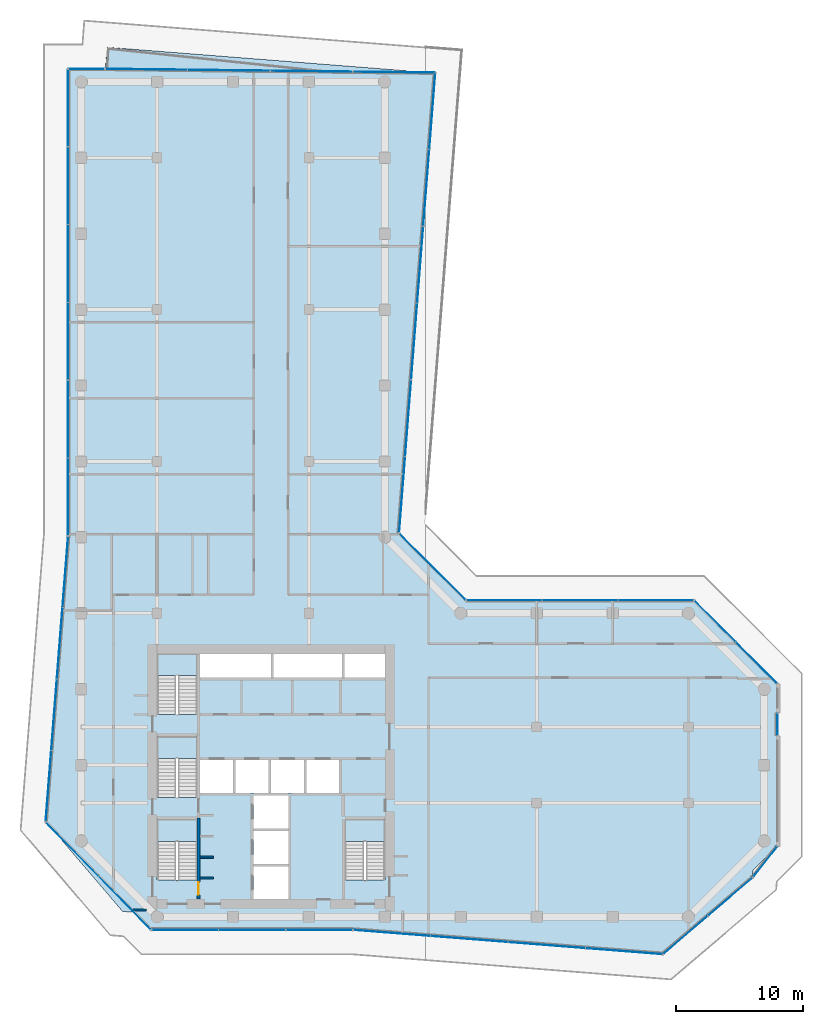
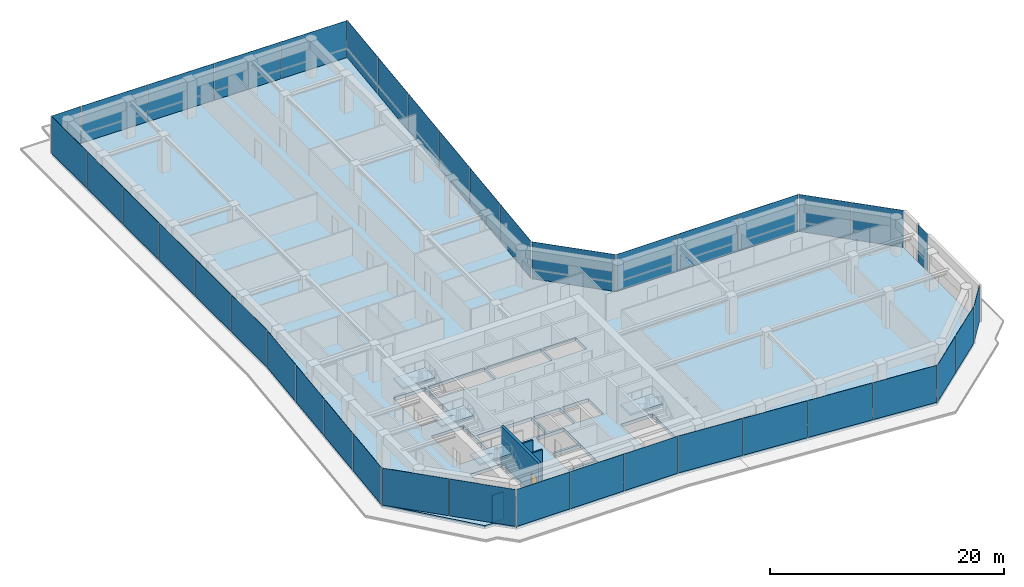
# One storey, part 19 of 24: 40 plates, 5 slabs, 4 walls, 1 door, 1 opening, 18 elements without a shape of their own.
"""IFC4 building model written with IfcOpenShell, lengths in metres."""

from ifc_helpers import new_model, si_unit, direction, frame, frame_2d, origin, origin_2d, place, context, subcontext, project, spatial, polyline, rectangle, outline, extrude, material, layer, layer_set, type_object, element, fill, aggregate, save


model = new_model("IFC4")

# Units and contexts
model_context = context("Model", 3, precision=1e-05, world=origin(), true_north=direction((0.0, 1.0)))
body_context = subcontext(model_context, "Body", "Model", "MODEL_VIEW")
ifc_project = project(units=[si_unit("LENGTHUNIT", "METRE"), si_unit("AREAUNIT", "SQUARE_METRE"), si_unit("VOLUMEUNIT", "CUBIC_METRE"), si_unit("PLANEANGLEUNIT", "RADIAN"), si_unit("MASSUNIT", "GRAM", prefix="KILO")], contexts=[model_context])

# Site, building, storey
site_placement = place(None, origin())
site = spatial("IfcSite", under=ifc_project, at=site_placement, CompositionType="ELEMENT")
building_placement = place(site_placement, origin())
building = spatial("IfcBuilding", under=site, at=building_placement, Name="Welwitschia Terrace Campus", CompositionType="ELEMENT")
storey_placement = place(building_placement, frame((0.0, 0.0, 129.800048828125)))
storey = spatial("IfcBuildingStorey", under=building, at=storey_placement, Name="L29", CompositionType="ELEMENT", Elevation=129.800048828125)

# Curtain wall, plates
ifc_material_1 = material(Name="Bronze anodised aluminium", Category="aluminium")
ifc_layer_1 = layer(ifc_material_1, 0.1201171875)
ifc_layer_set_1 = layer_set([ifc_layer_1], Name="Bronze anodised aluminium")
curtain_wall_type = type_object("IfcCurtainWallType", Name="Curtain wall CW2 tower 6000", PredefinedType="NOTDEFINED", material=ifc_layer_set_1)
curtain_wall_1_placement = place(storey_placement, origin())
curtain_wall_1 = element("IfcCurtainWall", 1, at=curtain_wall_1_placement, inside=storey, type_object=curtain_wall_type, Name="CW L29.0.0", PredefinedType="NOTDEFINED")
ifc_material_2 = material(Name="Tinted bronze-grey glass", Category="glass")
ifc_layer_2 = layer(ifc_material_2, 0.028076171875)
ifc_layer_set_2 = layer_set([ifc_layer_2], Name="Tinted bronze-grey glass")
plate_type = type_object("IfcPlateType", Name="Glass panel 28 tinted", PredefinedType="CURTAIN_PANEL", material=ifc_layer_set_2)
plate_1_placement = place(storey_placement, frame((-1.253662109375, 31.27099609375, 0.0), z_axis=(0.0, 0.0, 1.0), x_axis=(-0.078459095728, -0.996917333733, 0.0)))
plate_1 = element("IfcPlate", 2, at=plate_1_placement, type_object=plate_type, Name="Panel L29.0.0.0", PredefinedType="CURTAIN_PANEL", context=body_context, shape_type="SweptSolid", body=[
    extrude(rectangle(XDim=5.578857421875, YDim=0.028076171875, at=origin_2d()), origin(), (0.0, 0.0, 1.0), 3.85009765625),
])
plate_2_placement = place(storey_placement, frame((-1.697265625, 25.634765625, 0.0), z_axis=(0.0, 0.0, 1.0), x_axis=(-0.078459095728, -0.996917333733, 0.0)))
plate_2 = element("IfcPlate", 3, at=plate_2_placement, type_object=plate_type, Name="Panel L29.0.0.1", PredefinedType="CURTAIN_PANEL", context=body_context, shape_type="SweptSolid", body=[
    extrude(rectangle(XDim=5.60888671875, YDim=0.028076171875, at=origin_2d()), origin(), (0.0, 0.0, 1.0), 3.85009765625),
])
plate_3_placement = place(storey_placement, frame((-2.141845703125, 19.9833984375, 0.0), z_axis=(0.0, 0.0, 1.0), x_axis=(-0.078459095728, -0.996917333733, 0.0)))
plate_3 = element("IfcPlate", 4, at=plate_3_placement, type_object=plate_type, Name="Panel L29.0.0.2", PredefinedType="CURTAIN_PANEL", context=body_context, shape_type="SweptSolid", body=[
    extrude(rectangle(XDim=5.60888671875, YDim=0.028076171875, at=origin_2d()), origin(), (0.0, 0.0, 1.0), 3.85009765625),
])
plate_4_placement = place(storey_placement, frame((-2.58544921875, 14.346923828125, 0.0), z_axis=(0.0, 0.0, 1.0), x_axis=(-0.078459095728, -0.996917333733, 0.0)))
plate_4 = element("IfcPlate", 5, at=plate_4_placement, type_object=plate_type, Name="Panel L29.0.0.3", PredefinedType="CURTAIN_PANEL", context=body_context, shape_type="SweptSolid", body=[
    extrude(rectangle(XDim=5.578857421875, YDim=0.028076171875, at=origin_2d()), origin(), (0.0, 0.0, 1.0), 3.85009765625),
])
aggregate(curtain_wall_1, [plate_1, plate_2, plate_3, plate_4])

curtain_wall_2_placement = place(storey_placement, origin())
curtain_wall_2 = element("IfcCurtainWall", 6, at=curtain_wall_2_placement, inside=storey, type_object=curtain_wall_type, Name="CW L29.1.0", PredefinedType="NOTDEFINED")
plate_5_placement = place(storey_placement, frame((-0.710205078125, 9.361572265625, 0.0), z_axis=(0.0, 0.0, 1.0), x_axis=(0.699403259403, -0.714727277174, 0.0)))
plate_5 = element("IfcPlate", 7, at=plate_5_placement, type_object=plate_type, Name="Panel L29.1.0.0", PredefinedType="CURTAIN_PANEL", context=body_context, shape_type="SweptSolid", body=[
    extrude(rectangle(XDim=5.8818359375, YDim=0.028076171875, at=origin_2d()), origin(), (0.0, 0.0, 1.0), 3.85009765625),
])
plate_6_placement = place(storey_placement, frame((3.4453125, 5.11474609375, 0.0), z_axis=(0.0, 0.0, 1.0), x_axis=(0.699403259403, -0.714727277174, 0.0)))
plate_6 = element("IfcPlate", 8, at=plate_6_placement, type_object=plate_type, Name="Panel L29.1.0.1", PredefinedType="CURTAIN_PANEL", context=body_context, shape_type="SweptSolid", body=[
    extrude(rectangle(XDim=5.8818359375, YDim=0.028076171875, at=origin_2d()), origin(), (0.0, 0.0, 1.0), 3.85009765625),
])
aggregate(curtain_wall_2, [plate_5, plate_6])

curtain_wall_3_placement = place(storey_placement, origin())
curtain_wall_3 = element("IfcCurtainWall", 9, at=curtain_wall_3_placement, inside=storey, type_object=curtain_wall_type, Name="CW L29.2.0", PredefinedType="NOTDEFINED")
plate_7_placement = place(storey_placement, frame((8.217041015625, 2.969970703125, 0.0), z_axis=(0.0, 0.0, 1.0), x_axis=(1.0, 0.0, 0.0)))
plate_7 = element("IfcPlate", 10, at=plate_7_placement, type_object=plate_type, Name="Panel L29.2.0.0", PredefinedType="CURTAIN_PANEL", context=body_context, shape_type="SweptSolid", body=[
    extrude(rectangle(XDim=5.225830078125, YDim=0.028076171875, at=origin_2d()), origin(), (0.0, 0.0, 1.0), 3.85009765625),
])
plate_8_placement = place(storey_placement, frame((13.51806640625, 2.969970703125, 0.0), z_axis=(0.0, 0.0, 1.0), x_axis=(1.0, 0.0, 0.0)))
plate_8 = element("IfcPlate", 11, at=plate_8_placement, type_object=plate_type, Name="Panel L29.2.0.1", PredefinedType="CURTAIN_PANEL", context=body_context, shape_type="SweptSolid", body=[
    extrude(rectangle(XDim=5.255859375, YDim=0.028076171875, at=origin_2d()), origin(), (0.0, 0.0, 1.0), 3.85009765625),
])
plate_9_placement = place(storey_placement, frame((18.819091796875, 2.969970703125, 0.0), z_axis=(0.0, 0.0, 1.0), x_axis=(1.0, 0.0, 0.0)))
plate_9 = element("IfcPlate", 12, at=plate_9_placement, type_object=plate_type, Name="Panel L29.2.0.2", PredefinedType="CURTAIN_PANEL", context=body_context, shape_type="SweptSolid", body=[
    extrude(rectangle(XDim=5.225830078125, YDim=0.028076171875, at=origin_2d()), origin(), (0.0, 0.0, 1.0), 3.85009765625),
])
aggregate(curtain_wall_3, [plate_7, plate_8, plate_9])

curtain_wall_4_placement = place(storey_placement, origin())
curtain_wall_4 = element("IfcCurtainWall", 13, at=curtain_wall_4_placement, inside=storey, type_object=curtain_wall_type, Name="CW L29.3.0", PredefinedType="NOTDEFINED")
plate_10_placement = place(storey_placement, frame((24.567626953125, 2.72802734375, 0.0), z_axis=(0.0, 0.0, 1.0), x_axis=(0.996917333733, -0.078459095728, 0.0)))
plate_10 = element("IfcPlate", 14, at=plate_10_placement, type_object=plate_type, Name="Panel L29.3.0.0", PredefinedType="CURTAIN_PANEL", context=body_context, shape_type="SweptSolid", body=[
    extrude(rectangle(XDim=6.05029296875, YDim=0.028076171875, at=origin_2d()), origin(), (0.0, 0.0, 1.0), 3.85009765625),
])
plate_11_placement = place(storey_placement, frame((30.673828125, 2.247314453125, 0.0), z_axis=(0.0, 0.0, 1.0), x_axis=(0.996917333733, -0.078459095728, 0.0)))
plate_11 = element("IfcPlate", 15, at=plate_11_placement, type_object=plate_type, Name="Panel L29.3.0.1", PredefinedType="CURTAIN_PANEL", context=body_context, shape_type="SweptSolid", body=[
    extrude(rectangle(XDim=6.080078125, YDim=0.028076171875, at=origin_2d()), origin(), (0.0, 0.0, 1.0), 3.85009765625),
])
plate_12_placement = place(storey_placement, frame((36.795166015625, 1.765625, 0.0), z_axis=(0.0, 0.0, 1.0), x_axis=(0.996917333733, -0.078459095728, 0.0)))
plate_12 = element("IfcPlate", 16, at=plate_12_placement, type_object=plate_type, Name="Panel L29.3.0.2", PredefinedType="CURTAIN_PANEL", context=body_context, shape_type="SweptSolid", body=[
    extrude(rectangle(XDim=6.080078125, YDim=0.028076171875, at=origin_2d()), origin(), (0.0, 0.0, 1.0), 3.85009765625),
])
plate_13_placement = place(storey_placement, frame((42.9013671875, 1.28515625, 0.0), z_axis=(0.0, 0.0, 1.0), x_axis=(0.996917333733, -0.078459095728, 0.0)))
plate_13 = element("IfcPlate", 17, at=plate_13_placement, type_object=plate_type, Name="Panel L29.3.0.3", PredefinedType="CURTAIN_PANEL", context=body_context, shape_type="SweptSolid", body=[
    extrude(rectangle(XDim=6.05029296875, YDim=0.028076171875, at=origin_2d()), origin(), (0.0, 0.0, 1.0), 3.85009765625),
])
aggregate(curtain_wall_4, [plate_10, plate_11, plate_12, plate_13])

curtain_wall_5_placement = place(storey_placement, origin())
curtain_wall_5 = element("IfcCurtainWall", 18, at=curtain_wall_5_placement, inside=storey, type_object=curtain_wall_type, Name="CW L29.4.0", PredefinedType="NOTDEFINED")
plate_14_placement = place(storey_placement, frame((47.763671875, 2.56884765625, 0.0), z_axis=(0.0, 0.0, 1.0), x_axis=(0.7604059656, 0.64944804833, 0.0)))
plate_14 = element("IfcPlate", 19, at=plate_14_placement, type_object=plate_type, Name="Panel L29.4.0.0", PredefinedType="CURTAIN_PANEL", context=body_context, shape_type="SweptSolid", body=[
    extrude(rectangle(XDim=4.579345703125, YDim=0.028076171875, at=origin_2d()), origin(), (0.0, 0.0, 1.0), 3.85009765625),
])
plate_15_placement = place(storey_placement, frame((51.29150390625, 5.58203125, 0.0), z_axis=(0.0, 0.0, 1.0), x_axis=(0.7604059656, 0.64944804833, 0.0)))
plate_15 = element("IfcPlate", 20, at=plate_15_placement, type_object=plate_type, Name="Panel L29.4.0.1", PredefinedType="CURTAIN_PANEL", context=body_context, shape_type="SweptSolid", body=[
    extrude(rectangle(XDim=4.579345703125, YDim=0.028076171875, at=origin_2d()), origin(), (0.0, 0.0, 1.0), 3.85009765625),
])
aggregate(curtain_wall_5, [plate_14, plate_15])

# Curtain wall, plate
curtain_wall_6_placement = place(storey_placement, origin())
curtain_wall_6 = element("IfcCurtainWall", 21, at=curtain_wall_6_placement, inside=storey, type_object=curtain_wall_type, Name="CW L29.5.0", PredefinedType="NOTDEFINED")
plate_16_placement = place(storey_placement, frame((54.053955078125, 8.340576171875, 0.0), z_axis=(0.0, 0.0, 1.0), x_axis=(0.620716956418, 0.784034731383, 0.0)))
plate_16 = element("IfcPlate", 22, at=plate_16_placement, type_object=plate_type, Name="Panel L29.5.0.0", PredefinedType="CURTAIN_PANEL", context=body_context, shape_type="SweptSolid", body=[
    extrude(rectangle(XDim=3.024658203125, YDim=0.028076171875, at=origin_2d()), origin(), (0.0, 0.0, 1.0), 3.85009765625),
])
aggregate(curtain_wall_6, [plate_16])

curtain_wall_7_placement = place(storey_placement, origin())
curtain_wall_7 = element("IfcCurtainWall", 23, at=curtain_wall_7_placement, inside=storey, type_object=curtain_wall_type, Name="CW L29.6.S0", PredefinedType="NOTDEFINED")
plate_17_placement = place(storey_placement, frame((55.030029296875, 19.21337890625, 0.0), z_axis=(0.0, 0.0, 1.0), x_axis=(0.0, 1.0, 0.0)))
plate_17 = element("IfcPlate", 24, at=plate_17_placement, type_object=plate_type, Name="Panel L29.6.S0.0", PredefinedType="CURTAIN_PANEL", context=body_context, shape_type="SweptSolid", body=[
    extrude(rectangle(XDim=1.679931640625, YDim=0.028076171875, at=origin_2d()), origin(), (0.0, 0.0, 1.0), 3.85009765625),
])
aggregate(curtain_wall_7, [plate_17])

# Curtain wall, plates
curtain_wall_8_placement = place(storey_placement, origin())
curtain_wall_8 = element("IfcCurtainWall", 25, at=curtain_wall_8_placement, inside=storey, type_object=curtain_wall_type, Name="CW L29.7.0", PredefinedType="NOTDEFINED")
plate_18_placement = place(storey_placement, frame((53.36865234375, 24.088134765625, 0.0), z_axis=(0.0, 0.0, 1.0), x_axis=(-0.707106781187, 0.707106781187, 0.0)))
plate_18 = element("IfcPlate", 26, at=plate_18_placement, type_object=plate_type, Name="Panel L29.7.0.0", PredefinedType="CURTAIN_PANEL", context=body_context, shape_type="SweptSolid", body=[
    extrude(rectangle(XDim=4.579345703125, YDim=0.028076171875, at=origin_2d()), origin(), (0.0, 0.0, 1.0), 3.85009765625),
])
plate_19_placement = place(storey_placement, frame((50.088134765625, 27.36865234375, 0.0), z_axis=(0.0, 0.0, 1.0), x_axis=(-0.707106781187, 0.707106781187, 0.0)))
plate_19 = element("IfcPlate", 27, at=plate_19_placement, type_object=plate_type, Name="Panel L29.7.0.1", PredefinedType="CURTAIN_PANEL", context=body_context, shape_type="SweptSolid", body=[
    extrude(rectangle(XDim=4.579345703125, YDim=0.028076171875, at=origin_2d()), origin(), (0.0, 0.0, 1.0), 3.85009765625),
])
aggregate(curtain_wall_8, [plate_18, plate_19])

curtain_wall_9_placement = place(storey_placement, origin())
curtain_wall_9 = element("IfcCurtainWall", 28, at=curtain_wall_9_placement, inside=storey, type_object=curtain_wall_type, Name="CW L29.8.0", PredefinedType="NOTDEFINED")
plate_20_placement = place(storey_placement, frame((45.41162109375, 29.030029296875, 0.0), z_axis=(0.0, 0.0, 1.0), x_axis=(-1.0, 0.0, 0.0)))
plate_20 = element("IfcPlate", 29, at=plate_20_placement, type_object=plate_type, Name="Panel L29.8.0.0", PredefinedType="CURTAIN_PANEL", context=body_context, shape_type="SweptSolid", body=[
    extrude(rectangle(XDim=5.909912109375, YDim=0.028076171875, at=origin_2d()), origin(), (0.0, 0.0, 1.0), 3.85009765625),
])
plate_21_placement = place(storey_placement, frame((39.4267578125, 29.030029296875, 0.0), z_axis=(0.0, 0.0, 1.0), x_axis=(-1.0, 0.0, 0.0)))
plate_21 = element("IfcPlate", 30, at=plate_21_placement, type_object=plate_type, Name="Panel L29.8.0.1", PredefinedType="CURTAIN_PANEL", context=body_context, shape_type="SweptSolid", body=[
    extrude(rectangle(XDim=5.93994140625, YDim=0.028076171875, at=origin_2d()), origin(), (0.0, 0.0, 1.0), 3.85009765625),
])
plate_22_placement = place(storey_placement, frame((33.441650390625, 29.030029296875, 0.0), z_axis=(0.0, 0.0, 1.0), x_axis=(-1.0, 0.0, 0.0)))
plate_22 = element("IfcPlate", 31, at=plate_22_placement, type_object=plate_type, Name="Panel L29.8.0.2", PredefinedType="CURTAIN_PANEL", context=body_context, shape_type="SweptSolid", body=[
    extrude(rectangle(XDim=5.909912109375, YDim=0.028076171875, at=origin_2d()), origin(), (0.0, 0.0, 1.0), 3.85009765625),
])
aggregate(curtain_wall_9, [plate_20, plate_21, plate_22])

# Curtain wall, plate
curtain_wall_10_placement = place(storey_placement, origin())
curtain_wall_10 = element("IfcCurtainWall", 32, at=curtain_wall_10_placement, inside=storey, type_object=curtain_wall_type, Name="CW L29.9.0", PredefinedType="NOTDEFINED")
plate_23_placement = place(storey_placement, frame((27.777099609375, 31.679443359375, 0.0), z_axis=(0.0, 0.0, 1.0), x_axis=(-0.707106781187, 0.707106781187, 0.0)))
plate_23 = element("IfcPlate", 33, at=plate_23_placement, type_object=plate_type, Name="Panel L29.9.0.0", PredefinedType="CURTAIN_PANEL", context=body_context, shape_type="SweptSolid", body=[
    extrude(rectangle(XDim=7.373779296875, YDim=0.028076171875, at=origin_2d()), origin(), (0.0, 0.0, 1.0), 3.85009765625),
])
aggregate(curtain_wall_10, [plate_23])

# Curtain wall, plates
curtain_wall_11_placement = place(storey_placement, origin())
curtain_wall_11 = element("IfcCurtainWall", 34, at=curtain_wall_11_placement, inside=storey, type_object=curtain_wall_type, Name="CW L29.10.0", PredefinedType="NOTDEFINED")
plate_24_placement = place(storey_placement, frame((25.36767578125, 37.377197265625, 0.0), z_axis=(0.0, 0.0, 1.0), x_axis=(0.078459095728, 0.996917333733, 0.0)))
plate_24 = element("IfcPlate", 35, at=plate_24_placement, type_object=plate_type, Name="Panel L29.10.0.0", PredefinedType="CURTAIN_PANEL", context=body_context, shape_type="SweptSolid", body=[
    extrude(rectangle(XDim=5.995361328125, YDim=0.028076171875, at=origin_2d()), origin(), (0.0, 0.0, 1.0), 3.85009765625),
])
plate_25_placement = place(storey_placement, frame((25.84375, 43.428955078125, 0.0), z_axis=(0.0, 0.0, 1.0), x_axis=(0.078459095728, 0.996917333733, 0.0)))
plate_25 = element("IfcPlate", 36, at=plate_25_placement, type_object=plate_type, Name="Panel L29.10.0.1", PredefinedType="CURTAIN_PANEL", context=body_context, shape_type="SweptSolid", body=[
    extrude(rectangle(XDim=6.025390625, YDim=0.028076171875, at=origin_2d()), origin(), (0.0, 0.0, 1.0), 3.85009765625),
])
plate_26_placement = place(storey_placement, frame((26.3212890625, 49.49560546875, 0.0), z_axis=(0.0, 0.0, 1.0), x_axis=(0.078459095728, 0.996917333733, 0.0)))
plate_26 = element("IfcPlate", 37, at=plate_26_placement, type_object=plate_type, Name="Panel L29.10.0.2", PredefinedType="CURTAIN_PANEL", context=body_context, shape_type="SweptSolid", body=[
    extrude(rectangle(XDim=6.025390625, YDim=0.028076171875, at=origin_2d()), origin(), (0.0, 0.0, 1.0), 3.85009765625),
])
plate_27_placement = place(storey_placement, frame((26.798828125, 55.562255859375, 0.0), z_axis=(0.0, 0.0, 1.0), x_axis=(0.078459095728, 0.996917333733, 0.0)))
plate_27 = element("IfcPlate", 38, at=plate_27_placement, type_object=plate_type, Name="Panel L29.10.0.3", PredefinedType="CURTAIN_PANEL", context=body_context, shape_type="SweptSolid", body=[
    extrude(rectangle(XDim=6.025390625, YDim=0.028076171875, at=origin_2d()), origin(), (0.0, 0.0, 1.0), 3.85009765625),
])
plate_28_placement = place(storey_placement, frame((27.276123046875, 61.62890625, 0.0), z_axis=(0.0, 0.0, 1.0), x_axis=(0.078459095728, 0.996917333733, 0.0)))
plate_28 = element("IfcPlate", 39, at=plate_28_placement, type_object=plate_type, Name="Panel L29.10.0.4", PredefinedType="CURTAIN_PANEL", context=body_context, shape_type="SweptSolid", body=[
    extrude(rectangle(XDim=6.025390625, YDim=0.028076171875, at=origin_2d()), origin(), (0.0, 0.0, 1.0), 3.85009765625),
])
plate_29_placement = place(storey_placement, frame((27.75244140625, 67.6806640625, 0.0), z_axis=(0.0, 0.0, 1.0), x_axis=(0.078459095728, 0.996917333733, 0.0)))
plate_29 = element("IfcPlate", 40, at=plate_29_placement, type_object=plate_type, Name="Panel L29.10.0.5", PredefinedType="CURTAIN_PANEL", context=body_context, shape_type="SweptSolid", body=[
    extrude(rectangle(XDim=5.995361328125, YDim=0.028076171875, at=origin_2d()), origin(), (0.0, 0.0, 1.0), 3.85009765625),
])
aggregate(curtain_wall_11, [plate_24, plate_25, plate_26, plate_27, plate_28, plate_29])

curtain_wall_12_placement = place(storey_placement, origin())
curtain_wall_12 = element("IfcCurtainWall", 41, at=curtain_wall_12_placement, inside=storey, type_object=curtain_wall_type, Name="CW L29.11.0", PredefinedType="NOTDEFINED")
plate_30_placement = place(storey_placement, frame((24.712890625, 70.7666015625, 0.0), z_axis=(0.0, 0.0, 1.0), x_axis=(-0.999933529189, 0.011529839669, 0.0)))
plate_30 = element("IfcPlate", 42, at=plate_30_placement, type_object=plate_type, Name="Panel L29.11.0.0", PredefinedType="CURTAIN_PANEL", context=body_context, shape_type="SweptSolid", body=[
    extrude(rectangle(XDim=6.439697265625, YDim=0.028076171875, at=origin_2d()), origin(), (0.0, 0.0, 1.0), 3.85009765625),
])
plate_31_placement = place(storey_placement, frame((18.198486328125, 70.841796875, 0.0), z_axis=(0.0, 0.0, 1.0), x_axis=(-0.999933529189, 0.011529839669, 0.0)))
plate_31 = element("IfcPlate", 43, at=plate_31_placement, type_object=plate_type, Name="Panel L29.11.0.1", PredefinedType="CURTAIN_PANEL", context=body_context, shape_type="SweptSolid", body=[
    extrude(rectangle(XDim=6.4697265625, YDim=0.028076171875, at=origin_2d()), origin(), (0.0, 0.0, 1.0), 3.85009765625),
])
plate_32_placement = place(storey_placement, frame((11.66943359375, 70.9169921875, 0.0), z_axis=(0.0, 0.0, 1.0), x_axis=(-0.999933529189, 0.011529839669, 0.0)))
plate_32 = element("IfcPlate", 44, at=plate_32_placement, type_object=plate_type, Name="Panel L29.11.0.2", PredefinedType="CURTAIN_PANEL", context=body_context, shape_type="SweptSolid", body=[
    extrude(rectangle(XDim=6.4697265625, YDim=0.028076171875, at=origin_2d()), origin(), (0.0, 0.0, 1.0), 3.85009765625),
])
plate_33_placement = place(storey_placement, frame((5.155029296875, 70.9921875, 0.0), z_axis=(0.0, 0.0, 1.0), x_axis=(-0.999933529189, 0.011529839669, 0.0)))
plate_33 = element("IfcPlate", 45, at=plate_33_placement, type_object=plate_type, Name="Panel L29.11.0.3", PredefinedType="CURTAIN_PANEL", context=body_context, shape_type="SweptSolid", body=[
    extrude(rectangle(XDim=6.439697265625, YDim=0.028076171875, at=origin_2d()), origin(), (0.0, 0.0, 1.0), 3.85009765625),
])
aggregate(curtain_wall_12, [plate_30, plate_31, plate_32, plate_33])

# Curtain wall, plate
curtain_wall_13_placement = place(storey_placement, origin())
curtain_wall_13 = element("IfcCurtainWall", 46, at=curtain_wall_13_placement, inside=storey, type_object=curtain_wall_type, Name="CW L29.12.0", PredefinedType="NOTDEFINED")
plate_34_placement = place(storey_placement, frame((0.4228515625, 71.030029296875, 0.0), z_axis=(0.0, 0.0, 1.0), x_axis=(-1.0, 0.0, 0.0)))
plate_34 = element("IfcPlate", 47, at=plate_34_placement, type_object=plate_type, Name="Panel L29.12.0.0", PredefinedType="CURTAIN_PANEL", context=body_context, shape_type="SweptSolid", body=[
    extrude(rectangle(XDim=2.78564453125, YDim=0.028076171875, at=origin_2d()), origin(), (0.0, 0.0, 1.0), 3.85009765625),
])
aggregate(curtain_wall_13, [plate_34])

# Curtain wall, plates
curtain_wall_14_placement = place(storey_placement, origin())
curtain_wall_14 = element("IfcCurtainWall", 48, at=curtain_wall_14_placement, inside=storey, type_object=curtain_wall_type, Name="CW L29.13.0", PredefinedType="NOTDEFINED")
plate_35_placement = place(storey_placement, frame((-1.030029296875, 67.9384765625, 0.0), z_axis=(0.0, 0.0, 1.0), x_axis=(0.0, -1.0, 0.0)))
plate_35 = element("IfcPlate", 49, at=plate_35_placement, type_object=plate_type, Name="Panel L29.13.0.0", PredefinedType="CURTAIN_PANEL", context=body_context, shape_type="SweptSolid", body=[
    extrude(rectangle(XDim=6.06298828125, YDim=0.028076171875, at=origin_2d()), origin(), (0.0, 0.0, 1.0), 3.85009765625),
])
plate_36_placement = place(storey_placement, frame((-1.030029296875, 61.800537109375, 0.0), z_axis=(0.0, 0.0, 1.0), x_axis=(0.0, -1.0, 0.0)))
plate_36 = element("IfcPlate", 50, at=plate_36_placement, type_object=plate_type, Name="Panel L29.13.0.1", PredefinedType="CURTAIN_PANEL", context=body_context, shape_type="SweptSolid", body=[
    extrude(rectangle(XDim=6.093017578125, YDim=0.028076171875, at=origin_2d()), origin(), (0.0, 0.0, 1.0), 3.85009765625),
])
plate_37_placement = place(storey_placement, frame((-1.030029296875, 55.6474609375, 0.0), z_axis=(0.0, 0.0, 1.0), x_axis=(0.0, -1.0, 0.0)))
plate_37 = element("IfcPlate", 51, at=plate_37_placement, type_object=plate_type, Name="Panel L29.13.0.2", PredefinedType="CURTAIN_PANEL", context=body_context, shape_type="SweptSolid", body=[
    extrude(rectangle(XDim=6.093017578125, YDim=0.028076171875, at=origin_2d()), origin(), (0.0, 0.0, 1.0), 3.85009765625),
])
plate_38_placement = place(storey_placement, frame((-1.030029296875, 49.494384765625, 0.0), z_axis=(0.0, 0.0, 1.0), x_axis=(0.0, -1.0, 0.0)))
plate_38 = element("IfcPlate", 52, at=plate_38_placement, type_object=plate_type, Name="Panel L29.13.0.3", PredefinedType="CURTAIN_PANEL", context=body_context, shape_type="SweptSolid", body=[
    extrude(rectangle(XDim=6.093017578125, YDim=0.028076171875, at=origin_2d()), origin(), (0.0, 0.0, 1.0), 3.85009765625),
])
plate_39_placement = place(storey_placement, frame((-1.030029296875, 43.34130859375, 0.0), z_axis=(0.0, 0.0, 1.0), x_axis=(0.0, -1.0, 0.0)))
plate_39 = element("IfcPlate", 53, at=plate_39_placement, type_object=plate_type, Name="Panel L29.13.0.4", PredefinedType="CURTAIN_PANEL", context=body_context, shape_type="SweptSolid", body=[
    extrude(rectangle(XDim=6.093017578125, YDim=0.028076171875, at=origin_2d()), origin(), (0.0, 0.0, 1.0), 3.85009765625),
])
plate_40_placement = place(storey_placement, frame((-1.030029296875, 37.203369140625, 0.0), z_axis=(0.0, 0.0, 1.0), x_axis=(0.0, -1.0, 0.0)))
plate_40 = element("IfcPlate", 54, at=plate_40_placement, type_object=plate_type, Name="Panel L29.13.0.5", PredefinedType="CURTAIN_PANEL", context=body_context, shape_type="SweptSolid", body=[
    extrude(rectangle(XDim=6.06298828125, YDim=0.028076171875, at=origin_2d()), origin(), (0.0, 0.0, 1.0), 3.85009765625),
])
aggregate(curtain_wall_14, [plate_35, plate_36, plate_37, plate_38, plate_39, plate_40])

# Stair, slab
ifc_material_3 = material(Name="Concrete C40/50", Category="concrete")
stair_type = type_object("IfcStairType", Name="Stair 24R 175 W1500", PredefinedType="HALF_TURN_STAIR", material=ifc_material_3)
stair_1_placement = place(storey_placement, origin())
stair_1 = element("IfcStair", 55, at=stair_1_placement, inside=storey, type_object=stair_type, Name="L29 Exit stair S1", PredefinedType="HALF_TURN_STAIR")
ifc_material_4 = material(Name="Concrete C40/50", Category="concrete")
ifc_layer_3 = layer(ifc_material_4, 0.199951171875)
ifc_layer_set_3 = layer_set([ifc_layer_3], Name="Concrete C40/50")
slab_type_1 = type_object("IfcSlabType", Name="Stair landing RC", PredefinedType="LANDING", material=ifc_layer_set_3)
slab_1_placement = place(storey_placement, frame((0.0, 0.0, 1.89990234375)))
slab_1 = element("IfcSlab", 56, at=slab_1_placement, type_object=slab_type_1, Name="S1 landing 1", PredefinedType="LANDING", context=body_context, shape_type="SweptSolid", body=[
    extrude(outline(polyline([(9.14990234375, 9.97998046875), (9.14990234375, 11.699951171875), (6.0, 11.699951171875), (6.0, 9.97998046875), (9.14990234375, 9.97998046875)])), origin(), (0.0, 0.0, 1.0), 0.199951171875),
])
aggregate(stair_1, [slab_1])

stair_2_placement = place(storey_placement, origin())
stair_2 = element("IfcStair", 57, at=stair_2_placement, inside=storey, type_object=stair_type, Name="L29 Exit stair S3", PredefinedType="HALF_TURN_STAIR")
slab_2_placement = place(storey_placement, frame((0.0, 0.0, 1.89990234375)))
slab_2 = element("IfcSlab", 58, at=slab_2_placement, type_object=slab_type_1, Name="S3 landing 1", PredefinedType="LANDING", context=body_context, shape_type="SweptSolid", body=[
    extrude(outline(polyline([(9.14990234375, 16.530029296875), (9.14990234375, 18.25), (6.0, 18.25), (6.0, 16.530029296875), (9.14990234375, 16.530029296875)])), origin(), (0.0, 0.0, 1.0), 0.199951171875),
])
aggregate(stair_2, [slab_2])

stair_3_placement = place(storey_placement, origin())
stair_3 = element("IfcStair", 59, at=stair_3_placement, inside=storey, type_object=stair_type, Name="L29 Exit stair S4", PredefinedType="HALF_TURN_STAIR")
slab_3_placement = place(storey_placement, frame((0.0, 0.0, 1.89990234375)))
slab_3 = element("IfcSlab", 60, at=slab_3_placement, type_object=slab_type_1, Name="S4 landing 1", PredefinedType="LANDING", context=body_context, shape_type="SweptSolid", body=[
    extrude(outline(polyline([(9.14990234375, 23.080078125), (9.14990234375, 24.800048828125), (6.0, 24.800048828125), (6.0, 23.080078125), (9.14990234375, 23.080078125)])), origin(), (0.0, 0.0, 1.0), 0.199951171875),
])
aggregate(stair_3, [slab_3])

stair_4_placement = place(storey_placement, origin())
stair_4 = element("IfcStair", 61, at=stair_4_placement, inside=storey, type_object=stair_type, Name="L29 Exit stair S2", PredefinedType="HALF_TURN_STAIR")
slab_4_placement = place(storey_placement, frame((0.0, 0.0, 1.89990234375)))
slab_4 = element("IfcSlab", 62, at=slab_4_placement, type_object=slab_type_1, Name="S2 landing 1", PredefinedType="LANDING", context=body_context, shape_type="SweptSolid", body=[
    extrude(outline(polyline([(24.0, 9.97998046875), (24.0, 11.699951171875), (20.85009765625, 11.699951171875), (20.85009765625, 9.97998046875), (24.0, 9.97998046875)])), origin(), (0.0, 0.0, 1.0), 0.199951171875),
])
aggregate(stair_4, [slab_4])

# Slab
ifc_material_5 = material(Name="Concrete C40/50", Category="concrete")
ifc_layer_4 = layer(ifc_material_5, 0.35009765625)
ifc_layer_set_4 = layer_set([ifc_layer_4], Name="Concrete C40/50")
slab_type_2 = type_object("IfcSlabType", Name="Suspended floor slab 350", PredefinedType="FLOOR", material=ifc_layer_set_4)
slab_5_placement = place(storey_placement, frame((0.0, 0.0, -0.35009765625)))
element("IfcSlab", 63, at=slab_5_placement, inside=storey, type_object=slab_type_2, Name="Floor slab L29", PredefinedType="FLOOR", context=body_context, shape_type="SweptSolid", body=[
    extrude(outline(polyline([(-1.0, 71.0), (1.9033203125, 71.0), (2.040283203125, 72.7412109375), (27.960205078125, 70.701416015625), (25.0966796875, 34.317626953125), (30.414306640625, 29.0), (48.414306640625, 29.0), (55.0, 22.414306640625), (55.0, 9.585693359375), (53.093017578125, 7.6787109375), (53.049072265625, 7.12255859375), (45.967041015625, 1.073974609375), (21.4931640625, 3.0), (5.585693359375, 3.0), (4.226806640625, 4.35888671875), (3.2705078125, 4.43408203125), (-2.7783203125, 11.516357421875), (-1.0, 34.110595703125), (-1.0, 71.0)]), holes=[polyline([(13.60009765625, 8.0), (13.60009765625, 5.39990234375), (16.39990234375, 5.39990234375), (16.39990234375, 8.0), (13.60009765625, 8.0)]), polyline([(9.14990234375, 11.699951171875), (6.0, 11.699951171875), (6.0, 6.902099609375), (9.14990234375, 6.902099609375), (9.14990234375, 11.699951171875)]), polyline([(12.0, 16.39990234375), (9.39990234375, 16.39990234375), (9.39990234375, 13.800048828125), (12.0, 13.800048828125), (12.0, 16.39990234375)]), polyline([(14.800048828125, 16.39990234375), (12.199951171875, 16.39990234375), (12.199951171875, 13.800048828125), (14.800048828125, 13.800048828125), (14.800048828125, 16.39990234375)]), polyline([(9.14990234375, 18.25), (6.0, 18.25), (6.0, 13.451904296875), (9.14990234375, 13.451904296875), (9.14990234375, 18.25)]), polyline([(9.14990234375, 24.800048828125), (6.0, 24.800048828125), (6.0, 20.001953125), (9.14990234375, 20.001953125), (9.14990234375, 24.800048828125)]), polyline([(15.0, 24.800048828125), (9.39990234375, 24.800048828125), (9.39990234375, 22.89990234375), (15.0, 22.89990234375), (15.0, 24.800048828125)]), polyline([(20.85009765625, 11.699951171875), (20.85009765625, 6.902099609375), (24.0, 6.902099609375), (24.0, 11.699951171875), (20.85009765625, 11.699951171875)]), polyline([(16.39990234375, 10.800048828125), (13.60009765625, 10.800048828125), (13.60009765625, 8.199951171875), (16.39990234375, 8.199951171875), (16.39990234375, 10.800048828125)]), polyline([(16.39990234375, 13.60009765625), (13.60009765625, 13.60009765625), (13.60009765625, 11.0), (16.39990234375, 11.0), (16.39990234375, 13.60009765625)]), polyline([(17.60009765625, 16.39990234375), (15.0, 16.39990234375), (15.0, 13.800048828125), (17.60009765625, 13.800048828125), (17.60009765625, 16.39990234375)]), polyline([(20.39990234375, 16.39990234375), (17.800048828125, 16.39990234375), (17.800048828125, 13.800048828125), (20.39990234375, 13.800048828125), (20.39990234375, 16.39990234375)]), polyline([(20.60009765625, 24.800048828125), (15.199951171875, 24.800048828125), (15.199951171875, 22.89990234375), (20.60009765625, 22.89990234375), (20.60009765625, 24.800048828125)]), polyline([(24.0, 24.800048828125), (20.800048828125, 24.800048828125), (20.800048828125, 22.89990234375), (24.0, 22.89990234375), (24.0, 24.800048828125)])]), origin(), (0.0, 0.0, 1.0), 0.35009765625),
])

# Walls
ifc_material_6 = material(Name="Concrete C50/60", Category="concrete")
ifc_layer_5 = layer(ifc_material_6, 0.14990234375)
ifc_layer_set_5 = layer_set([ifc_layer_5], Name="Concrete C50/60")
wall_type_1 = type_object("IfcWallType", Name="Core wall 150 Concrete C50/60", PredefinedType="SHEAR", material=ifc_layer_set_5)
for number, where, z_axis, x_axis, name in (
    (64, (9.39990234375, 7.074951171875, 0.0), (0.0, 0.0, 1.0), (1.0, 0.0, 0.0), "Core wall"),
    (65, (9.39990234375, 8.72509765625, 0.0), (0.0, 0.0, 1.0), (1.0, 0.0, 0.0), "Core wall"),
):
    element("IfcWall", number, at=place(storey_placement, frame(where, z_axis=z_axis, x_axis=x_axis)), inside=storey, type_object=wall_type_1, Name=name, PredefinedType="SHEAR", context=body_context, shape_type="SweptSolid", body=[
        extrude(rectangle(XDim=1.050048828125, YDim=0.14990234375, at=frame_2d((0.52490234375, 0.0))), origin(), (0.0, 0.0, 1.0), 3.849853515625),
    ])

# Wall, opening, door
ifc_material_7 = material(Name="Concrete C50/60", Category="concrete")
ifc_layer_6 = layer(ifc_material_7, 0.25)
ifc_layer_set_6 = layer_set([ifc_layer_6], Name="Concrete C50/60")
wall_type_2 = type_object("IfcWallType", Name="Core wall 250 Concrete C50/60", PredefinedType="SHEAR", material=ifc_layer_set_6)
wall_1_placement = place(storey_placement, frame((9.27490234375, 11.824951171875, 0.0), z_axis=(0.0, 0.0, 1.0), x_axis=(0.0, -1.0, 0.0)))
wall_1 = element("IfcWall", 66, at=wall_1_placement, inside=storey, type_object=wall_type_2, Name="Core wall", PredefinedType="SHEAR", context=body_context, shape_type="SweptSolid", body=[
    extrude(rectangle(XDim=6.425048828125, YDim=0.25, at=frame_2d((3.21240234375, 0.0))), origin(), (0.0, 0.0, 1.0), 3.849853515625),
])
opening_placement = place(wall_1_placement, frame((5.074951171875, 0.0, 0.0)))
opening = element("IfcOpeningElement", 67, at=opening_placement, cuts=wall_1, Name="Opening DS10", PredefinedType="OPENING", context=body_context, shape_type="SweptSolid", body=[
    extrude(rectangle(XDim=1.0, YDim=2.10009765625, at=frame_2d((0.5, 1.050048828125))), frame((0.0, 0.135009765625, 0.0), z_axis=(0.0, -1.0, 0.0), x_axis=(1.0, 0.0, 0.0)), (0.0, 0.0, 1.0), 0.27001953125),
])
ifc_material_8 = material(Name="Steel S275", Category="steel")
door_type = type_object("IfcDoorType", Name="Core door DS10", OperationType="SINGLE_SWING_LEFT", PredefinedType="DOOR", material=ifc_material_8)
door_placement = place(opening_placement, origin())
door = element("IfcDoor", 68, at=door_placement, inside=storey, type_object=door_type, Name="Door S1-FL", OperationType="SINGLE_SWING_RIGHT", OverallHeight=2.10009765625, OverallWidth=1.0, PredefinedType="DOOR", context=body_context, shape_type="SweptSolid", body=[
    extrude(rectangle(XDim=1.0, YDim=2.10009765625, at=frame_2d((0.5, 1.050048828125))), frame((0.0, 0.02490234375, 0.0), z_axis=(0.0, -1.0, 0.0), x_axis=(1.0, 0.0, 0.0)), (0.0, 0.0, 1.0), 0.050048828125),
])
fill(opening, door)

# Wall
ifc_material_9 = material(Name="Gypsum board on steel studs", Category="steel")
ifc_layer_7 = layer(ifc_material_9, 0.14990234375)
ifc_layer_set_7 = layer_set([ifc_layer_7], Name="Gypsum board on steel studs")
wall_type_3 = type_object("IfcWallType", Name="Corridor partition 150 EI 30", PredefinedType="PARTITIONING", material=ifc_layer_set_7)
wall_2_placement = place(storey_placement, frame((4.070068359375, 4.550048828125, 0.0), z_axis=(0.0, 0.0, 1.0), x_axis=(1.0, 0.0, 0.0)))
element("IfcWall", 69, at=wall_2_placement, inside=storey, type_object=wall_type_3, Name="Partition", PredefinedType="PARTITIONING", context=body_context, shape_type="SweptSolid", body=[
    extrude(rectangle(XDim=1.079833984375, YDim=0.14990234375, at=frame_2d((0.5400390625, 0.0))), origin(), (0.0, 0.0, 1.0), 2.829833984375),
])

save(model, "model.ifc")
